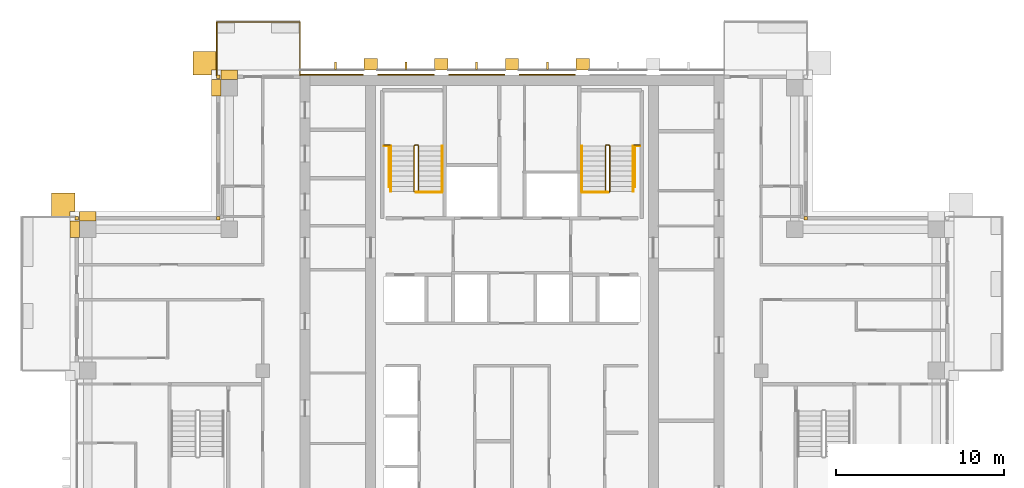
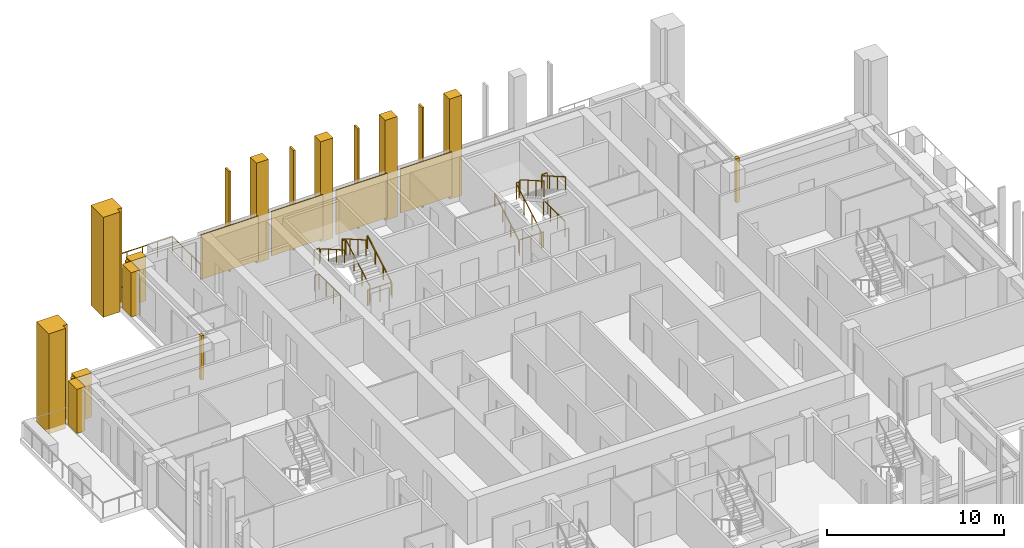
# One storey, part 15 of 16: 22 coverings, 13 railings.
"""IFC4 building model written with IfcOpenShell, lengths in metres."""

from ifc_helpers import new_model, si_unit, direction, frame, origin, origin_2d, place, context, subcontext, project, spatial, polyline, rectangle, outline, extrude, material, layer, layer_set, type_object, element, save


model = new_model("IFC4")

# Units and contexts
model_context = context("Model", 3, precision=1e-05, world=origin(), true_north=direction((0.0, 1.0)))
body_context = subcontext(model_context, "Body", "Model", "MODEL_VIEW")
ifc_project = project(units=[si_unit("LENGTHUNIT", "METRE"), si_unit("AREAUNIT", "SQUARE_METRE"), si_unit("VOLUMEUNIT", "CUBIC_METRE"), si_unit("PLANEANGLEUNIT", "RADIAN"), si_unit("MASSUNIT", "GRAM", prefix="KILO")], contexts=[model_context])

# Site, building, storey
site_placement = place(None, origin())
site = spatial("IfcSite", under=ifc_project, at=site_placement, CompositionType="ELEMENT")
building_placement = place(site_placement, origin())
building = spatial("IfcBuilding", under=site, at=building_placement, Name="Vermilion Ogive Tower", CompositionType="ELEMENT")
storey_placement = place(building_placement, frame((0.0, 0.0, 206.60009765625)))
storey = spatial("IfcBuildingStorey", under=building, at=storey_placement, Name="L54", CompositionType="ELEMENT", Elevation=206.60009765625)

# Railing
ifc_material_1 = material(Name="Stainless steel and glass", Category="steel")
railing_type_1 = type_object("IfcRailingType", Name="Balcony guard", PredefinedType="GUARDRAIL", material=ifc_material_1)
railing_1_placement = place(storey_placement, frame((-12.60009765625, 21.75, -0.0400390625)))
element("IfcRailing", 1, at=railing_1_placement, inside=storey, type_object=railing_type_1, Name="Guard N201", PredefinedType="GUARDRAIL", context=body_context, shape_type="SweptSolid", body=[
    extrude(rectangle(XDim=0.048095703125, YDim=0.048095703125, at=origin_2d()), frame((0.0, 0.0, 1.076171875), z_axis=(0.0, 1.0, 0.0), x_axis=(-1.0, 0.0, 0.0)), (0.0, 0.0, 1.0), 3.159912109375),
    extrude(rectangle(XDim=0.048095703125, YDim=0.048095703125, at=origin_2d()), frame((0.0, 3.159912109375, 1.076171875), z_axis=(-1.0, 0.0, 0.0), x_axis=(0.0, -1.0, 0.0)), (0.0, 0.0, 1.0), 4.949951171875),
    extrude(rectangle(XDim=0.048095703125, YDim=0.048095703125, at=origin_2d()), frame((-4.949951171875, 3.159912109375, 1.076171875), z_axis=(0.0, -1.0, 0.0), x_axis=(1.0, 0.0, 0.0)), (0.0, 0.0, 1.0), 3.159912109375),
    extrude(rectangle(XDim=0.0419921875, YDim=0.0419921875, at=origin_2d()), origin(), (0.0, 0.0, 1.0), 1.052001953125),
    extrude(rectangle(XDim=0.0419921875, YDim=0.0419921875, at=origin_2d()), frame((0.0, 1.05322265625, 0.0)), (0.0, 0.0, 1.0), 1.052001953125),
    extrude(rectangle(XDim=0.0419921875, YDim=0.0419921875, at=origin_2d()), frame((0.0, 2.106689453125, 0.0)), (0.0, 0.0, 1.0), 1.052001953125),
    extrude(rectangle(XDim=0.0419921875, YDim=0.0419921875, at=origin_2d()), frame((0.0, 3.159912109375, 0.0)), (0.0, 0.0, 1.0), 1.052001953125),
    extrude(rectangle(XDim=0.0419921875, YDim=0.0419921875, at=origin_2d()), frame((-0.989990234375, 3.159912109375, 0.0)), (0.0, 0.0, 1.0), 1.052001953125),
    extrude(rectangle(XDim=0.0419921875, YDim=0.0419921875, at=origin_2d()), frame((-1.97998046875, 3.159912109375, 0.0)), (0.0, 0.0, 1.0), 1.052001953125),
    extrude(rectangle(XDim=0.0419921875, YDim=0.0419921875, at=origin_2d()), frame((-2.969970703125, 3.159912109375, 0.0)), (0.0, 0.0, 1.0), 1.052001953125),
    extrude(rectangle(XDim=0.0419921875, YDim=0.0419921875, at=origin_2d()), frame((-3.9599609375, 3.159912109375, 0.0)), (0.0, 0.0, 1.0), 1.052001953125),
    extrude(rectangle(XDim=0.0419921875, YDim=0.0419921875, at=origin_2d()), frame((-4.949951171875, 3.159912109375, 0.0)), (0.0, 0.0, 1.0), 1.052001953125),
    extrude(rectangle(XDim=0.0419921875, YDim=0.0419921875, at=origin_2d()), frame((-4.949951171875, 2.106689453125, 0.0)), (0.0, 0.0, 1.0), 1.052001953125),
    extrude(rectangle(XDim=0.0419921875, YDim=0.0419921875, at=origin_2d()), frame((-4.949951171875, 1.05322265625, 0.0)), (0.0, 0.0, 1.0), 1.052001953125),
    extrude(rectangle(XDim=0.0419921875, YDim=0.0419921875, at=origin_2d()), frame((-4.949951171875, 0.0, 0.0)), (0.0, 0.0, 1.0), 1.052001953125),
])

# Coverings
ifc_material_2 = material(Name="Glazed ceramic screen")
ifc_layer = layer(ifc_material_2, 0.14990234375)
ifc_layer_set = layer_set([ifc_layer], Name="Ceramic solar screen fin")
covering_type_1 = type_object("IfcCoveringType", Name="Ceramic solar screen fin", PredefinedType="CLADDING", material=ifc_layer_set)
covering_1_placement = place(storey_placement, frame((0.0, 0.0, -0.400146484375)))
element("IfcCovering", 2, at=covering_1_placement, inside=storey, type_object=covering_type_1, Name="Solar screen blade N1", PredefinedType="CLADDING", context=body_context, shape_type="SweptSolid", body=[
    extrude(outline(polyline([(-10.56005859375, 22.08203125), (-10.43994140625, 22.08203125), (-10.43994140625, 22.531982421875), (-10.56005859375, 22.531982421875), (-10.56005859375, 22.08203125)])), origin(), (0.0, 0.0, 1.0), 6.900146484375),
])
covering_2_placement = place(storey_placement, frame((0.0, 0.0, -0.400146484375)))
element("IfcCovering", 3, at=covering_2_placement, inside=storey, type_object=covering_type_1, Name="Solar screen blade N2", PredefinedType="CLADDING", context=body_context, shape_type="SweptSolid", body=[
    extrude(outline(polyline([(-6.360107421875, 22.08203125), (-6.239990234375, 22.08203125), (-6.239990234375, 22.531982421875), (-6.360107421875, 22.531982421875), (-6.360107421875, 22.08203125)])), origin(), (0.0, 0.0, 1.0), 6.900146484375),
])
covering_3_placement = place(storey_placement, frame((0.0, 0.0, -0.400146484375)))
element("IfcCovering", 4, at=covering_3_placement, inside=storey, type_object=covering_type_1, Name="Solar screen blade N3", PredefinedType="CLADDING", context=body_context, shape_type="SweptSolid", body=[
    extrude(outline(polyline([(-2.159912109375, 22.08203125), (-2.0400390625, 22.08203125), (-2.0400390625, 22.531982421875), (-2.159912109375, 22.531982421875), (-2.159912109375, 22.08203125)])), origin(), (0.0, 0.0, 1.0), 6.900146484375),
])
covering_4_placement = place(storey_placement, frame((0.0, 0.0, -0.400146484375)))
element("IfcCovering", 5, at=covering_4_placement, inside=storey, type_object=covering_type_1, Name="Solar screen blade N4", PredefinedType="CLADDING", context=body_context, shape_type="SweptSolid", body=[
    extrude(outline(polyline([(2.0400390625, 22.08203125), (2.159912109375, 22.08203125), (2.159912109375, 22.531982421875), (2.0400390625, 22.531982421875), (2.0400390625, 22.08203125)])), origin(), (0.0, 0.0, 1.0), 6.900146484375),
])

# Railings
ifc_material_3 = material(Name="Steel S355 painted", Category="steel")
railing_type_2 = type_object("IfcRailingType", Name="Stair guard 1100", PredefinedType="GUARDRAIL", material=ifc_material_3)
railing_2_placement = place(storey_placement, frame((-5.75, 14.800048828125, 0.0)))
element("IfcRailing", 6, at=railing_2_placement, inside=storey, type_object=railing_type_2, Name="L54 ST1 stair guard 4", PredefinedType="GUARDRAIL", context=body_context, shape_type="SweptSolid", body=[
    extrude(rectangle(XDim=0.048095703125, YDim=0.048095703125, at=origin_2d()), frame((0.0, 0.0, 1.076171875), z_axis=(1.0, 0.0, 0.0), x_axis=(0.0, 1.0, 0.0)), (0.0, 0.0, 1.0), 0.14990234375),
    extrude(rectangle(XDim=0.048095703125, YDim=0.048095703125, at=origin_2d()), frame((0.14990234375, 0.0, 1.076171875), z_axis=(0.268603158521, 0.268603158521, 0.925043072762), x_axis=(-0.707106781187, 0.707106781187, 0.0)), (0.0, 0.0, 1.0), 0.186279296875),
    extrude(rectangle(XDim=0.048095703125, YDim=0.048095703125, at=origin_2d()), frame((0.199951171875, 0.050048828125, 1.24853515625), z_axis=(0.0, 0.866903762492, 0.498475542607), x_axis=(-1.0, 0.0, 0.0)), (0.0, 0.0, 1.0), 3.114501953125),
    extrude(rectangle(XDim=0.048095703125, YDim=0.048095703125, at=origin_2d()), frame((0.199951171875, 2.75, 2.80078125), z_axis=(-0.707106781187, 0.707106781187, 0.0), x_axis=(-0.707106781187, -0.707106781187, 0.0)), (0.0, 0.0, 1.0), 0.07080078125),
    extrude(rectangle(XDim=0.048095703125, YDim=0.048095703125, at=origin_2d()), frame((0.14990234375, 2.800048828125, 2.80078125), z_axis=(-1.0, 0.0, 0.0), x_axis=(0.0, -1.0, 0.0)), (0.0, 0.0, 1.0), 0.14990234375),
    extrude(rectangle(XDim=0.048095703125, YDim=0.048095703125, at=origin_2d()), frame((0.0, 2.800048828125, 2.80078125), z_axis=(-0.268277960024, -0.268277960024, 0.925231793839), x_axis=(0.707106781187, -0.707106781187, 0.0)), (0.0, 0.0, 1.0), 0.1865234375),
    extrude(rectangle(XDim=0.048095703125, YDim=0.048095703125, at=origin_2d()), frame((-0.050048828125, 2.75, 2.9736328125), z_axis=(0.0, -0.866903762492, 0.498475542607), x_axis=(1.0, 0.0, 0.0)), (0.0, 0.0, 1.0), 3.114501953125),
    extrude(rectangle(XDim=0.0419921875, YDim=0.0419921875, at=origin_2d()), origin(), (0.0, 0.0, 1.0), 1.052001953125),
    extrude(rectangle(XDim=0.0419921875, YDim=0.0419921875, at=origin_2d()), frame((0.14990234375, 0.0, 0.0)), (0.0, 0.0, 1.0), 1.052001953125),
    extrude(rectangle(XDim=0.0419921875, YDim=0.0419921875, at=origin_2d()), frame((0.199951171875, 0.050048828125, 0.17236328125)), (0.0, 0.0, 1.0), 1.052001953125),
    extrude(rectangle(XDim=0.0419921875, YDim=0.0419921875, at=origin_2d()), frame((0.199951171875, 0.949951171875, 0.68994140625)), (0.0, 0.0, 1.0), 1.052001953125),
    extrude(rectangle(XDim=0.0419921875, YDim=0.0419921875, at=origin_2d()), frame((0.199951171875, 1.85009765625, 1.207275390625)), (0.0, 0.0, 1.0), 1.052001953125),
    extrude(rectangle(XDim=0.0419921875, YDim=0.0419921875, at=origin_2d()), frame((0.199951171875, 2.75, 1.724853515625)), (0.0, 0.0, 1.0), 1.052001953125),
    extrude(rectangle(XDim=0.0419921875, YDim=0.0419921875, at=origin_2d()), frame((0.14990234375, 2.800048828125, 1.724853515625)), (0.0, 0.0, 1.0), 1.052001953125),
    extrude(rectangle(XDim=0.0419921875, YDim=0.0419921875, at=origin_2d()), frame((0.0, 2.800048828125, 1.724853515625)), (0.0, 0.0, 1.0), 1.052001953125),
    extrude(rectangle(XDim=0.0419921875, YDim=0.0419921875, at=origin_2d()), frame((-0.050048828125, 2.75, 1.8974609375)), (0.0, 0.0, 1.0), 1.052001953125),
    extrude(rectangle(XDim=0.0419921875, YDim=0.0419921875, at=origin_2d()), frame((-0.050048828125, 1.85009765625, 2.4150390625)), (0.0, 0.0, 1.0), 1.052001953125),
    extrude(rectangle(XDim=0.0419921875, YDim=0.0419921875, at=origin_2d()), frame((-0.050048828125, 0.949951171875, 2.932373046875)), (0.0, 0.0, 1.0), 1.052001953125),
    extrude(rectangle(XDim=0.0419921875, YDim=0.0419921875, at=origin_2d()), frame((-0.050048828125, 0.050048828125, 3.449951171875)), (0.0, 0.0, 1.0), 1.052001953125),
])
railing_3_placement = place(storey_placement, frame((5.75, 14.800048828125, 0.0)))
element("IfcRailing", 7, at=railing_3_placement, inside=storey, type_object=railing_type_2, Name="L54 ST2 stair guard 4", PredefinedType="GUARDRAIL", context=body_context, shape_type="SweptSolid", body=[
    extrude(rectangle(XDim=0.048095703125, YDim=0.048095703125, at=origin_2d()), frame((0.0, 0.0, 1.076171875), z_axis=(-1.0, 0.0, 0.0), x_axis=(0.0, -1.0, 0.0)), (0.0, 0.0, 1.0), 0.14990234375),
    extrude(rectangle(XDim=0.048095703125, YDim=0.048095703125, at=origin_2d()), frame((-0.14990234375, 0.0, 1.076171875), z_axis=(-0.268603158521, 0.268603158521, 0.925043072762), x_axis=(-0.707106781187, -0.707106781187, 0.0)), (0.0, 0.0, 1.0), 0.186279296875),
    extrude(rectangle(XDim=0.048095703125, YDim=0.048095703125, at=origin_2d()), frame((-0.199951171875, 0.050048828125, 1.24853515625), z_axis=(0.0, 0.866903762492, 0.498475542607), x_axis=(-1.0, 0.0, 0.0)), (0.0, 0.0, 1.0), 3.114501953125),
    extrude(rectangle(XDim=0.048095703125, YDim=0.048095703125, at=origin_2d()), frame((-0.199951171875, 2.75, 2.80078125), z_axis=(0.707106781187, 0.707106781187, 0.0), x_axis=(-0.707106781187, 0.707106781187, 0.0)), (0.0, 0.0, 1.0), 0.07080078125),
    extrude(rectangle(XDim=0.048095703125, YDim=0.048095703125, at=origin_2d()), frame((-0.14990234375, 2.800048828125, 2.80078125), z_axis=(1.0, 0.0, 0.0), x_axis=(0.0, 1.0, 0.0)), (0.0, 0.0, 1.0), 0.14990234375),
    extrude(rectangle(XDim=0.048095703125, YDim=0.048095703125, at=origin_2d()), frame((0.0, 2.800048828125, 2.80078125), z_axis=(0.268277960024, -0.268277960024, 0.925231793839), x_axis=(0.707106781187, 0.707106781187, 0.0)), (0.0, 0.0, 1.0), 0.1865234375),
    extrude(rectangle(XDim=0.048095703125, YDim=0.048095703125, at=origin_2d()), frame((0.050048828125, 2.75, 2.9736328125), z_axis=(0.0, -0.866903762492, 0.498475542607), x_axis=(1.0, 0.0, 0.0)), (0.0, 0.0, 1.0), 3.114501953125),
    extrude(rectangle(XDim=0.0419921875, YDim=0.0419921875, at=origin_2d()), origin(), (0.0, 0.0, 1.0), 1.052001953125),
    extrude(rectangle(XDim=0.0419921875, YDim=0.0419921875, at=origin_2d()), frame((-0.14990234375, 0.0, 0.0)), (0.0, 0.0, 1.0), 1.052001953125),
    extrude(rectangle(XDim=0.0419921875, YDim=0.0419921875, at=origin_2d()), frame((-0.199951171875, 0.050048828125, 0.17236328125)), (0.0, 0.0, 1.0), 1.052001953125),
    extrude(rectangle(XDim=0.0419921875, YDim=0.0419921875, at=origin_2d()), frame((-0.199951171875, 0.949951171875, 0.68994140625)), (0.0, 0.0, 1.0), 1.052001953125),
    extrude(rectangle(XDim=0.0419921875, YDim=0.0419921875, at=origin_2d()), frame((-0.199951171875, 1.85009765625, 1.207275390625)), (0.0, 0.0, 1.0), 1.052001953125),
    extrude(rectangle(XDim=0.0419921875, YDim=0.0419921875, at=origin_2d()), frame((-0.199951171875, 2.75, 1.724853515625)), (0.0, 0.0, 1.0), 1.052001953125),
    extrude(rectangle(XDim=0.0419921875, YDim=0.0419921875, at=origin_2d()), frame((-0.14990234375, 2.800048828125, 1.724853515625)), (0.0, 0.0, 1.0), 1.052001953125),
    extrude(rectangle(XDim=0.0419921875, YDim=0.0419921875, at=origin_2d()), frame((0.0, 2.800048828125, 1.724853515625)), (0.0, 0.0, 1.0), 1.052001953125),
    extrude(rectangle(XDim=0.0419921875, YDim=0.0419921875, at=origin_2d()), frame((0.050048828125, 2.75, 1.8974609375)), (0.0, 0.0, 1.0), 1.052001953125),
    extrude(rectangle(XDim=0.0419921875, YDim=0.0419921875, at=origin_2d()), frame((0.050048828125, 1.85009765625, 2.4150390625)), (0.0, 0.0, 1.0), 1.052001953125),
    extrude(rectangle(XDim=0.0419921875, YDim=0.0419921875, at=origin_2d()), frame((0.050048828125, 0.949951171875, 2.932373046875)), (0.0, 0.0, 1.0), 1.052001953125),
    extrude(rectangle(XDim=0.0419921875, YDim=0.0419921875, at=origin_2d()), frame((0.050048828125, 0.050048828125, 3.449951171875)), (0.0, 0.0, 1.0), 1.052001953125),
])
for number, where, name in (
    (8, (-7.60009765625, 17.60009765625, 1.724853515625), "L54 landing guard"),
    (9, (7.25, 17.60009765625, 1.724853515625), "L54 landing guard"),
):
    element("IfcRailing", number, at=place(storey_placement, frame(where)), inside=storey, type_object=railing_type_2, Name=name, PredefinedType="GUARDRAIL", context=body_context, shape_type="SweptSolid", body=[
        extrude(rectangle(XDim=0.048095703125, YDim=0.048095703125, at=origin_2d()), frame((0.0, 0.0, 1.076171875), z_axis=(1.0, 0.0, 0.0), x_axis=(0.0, 1.0, 0.0)), (0.0, 0.0, 1.0), 0.35009765625),
        extrude(rectangle(XDim=0.0419921875, YDim=0.0419921875, at=origin_2d()), origin(), (0.0, 0.0, 1.0), 1.052001953125),
        extrude(rectangle(XDim=0.0419921875, YDim=0.0419921875, at=origin_2d()), frame((0.35009765625, 0.0, 0.0)), (0.0, 0.0, 1.0), 1.052001953125),
    ])
railing_4_placement = place(storey_placement, frame((-4.159912109375, 14.7900390625, 0.0)))
element("IfcRailing", 10, at=railing_4_placement, inside=storey, type_object=railing_type_2, Name="L54 stair opening guard", PredefinedType="GUARDRAIL", context=body_context, shape_type="SweptSolid", body=[
    extrude(rectangle(XDim=0.048095703125, YDim=0.048095703125, at=origin_2d()), frame((0.0, 0.0, 1.076171875), z_axis=(-1.0, 0.0, 0.0), x_axis=(0.0, -1.0, 0.0)), (0.0, 0.0, 1.0), 1.5400390625),
    extrude(rectangle(XDim=0.0419921875, YDim=0.0419921875, at=origin_2d()), origin(), (0.0, 0.0, 1.0), 1.052001953125),
    extrude(rectangle(XDim=0.0419921875, YDim=0.0419921875, at=origin_2d()), frame((-0.77001953125, 0.0, 0.0)), (0.0, 0.0, 1.0), 1.052001953125),
    extrude(rectangle(XDim=0.0419921875, YDim=0.0419921875, at=origin_2d()), frame((-1.5400390625, 0.0, 0.0)), (0.0, 0.0, 1.0), 1.052001953125),
])
railing_5_placement = place(storey_placement, frame((-7.3095703125, 15.11865234375, 0.0)))
element("IfcRailing", 11, at=railing_5_placement, inside=storey, type_object=railing_type_2, Name="L54 stair opening guard", PredefinedType="GUARDRAIL", context=body_context, shape_type="SweptSolid", body=[
    extrude(rectangle(XDim=0.048095703125, YDim=0.048095703125, at=origin_2d()), frame((0.0, 0.0, 1.076171875), z_axis=(0.0, 1.0, 0.0), x_axis=(-1.0, 0.0, 0.0)), (0.0, 0.0, 1.0), 2.42431640625),
    extrude(rectangle(XDim=0.048095703125, YDim=0.048095703125, at=origin_2d()), frame((0.0, 2.42431640625, 1.076171875), z_axis=(-1.0, 0.0, 0.0), x_axis=(0.0, -1.0, 0.0)), (0.0, 0.0, 1.0), 0.2900390625),
    extrude(rectangle(XDim=0.0419921875, YDim=0.0419921875, at=origin_2d()), origin(), (0.0, 0.0, 1.0), 1.052001953125),
    extrude(rectangle(XDim=0.0419921875, YDim=0.0419921875, at=origin_2d()), frame((0.0, 0.80810546875, 0.0)), (0.0, 0.0, 1.0), 1.052001953125),
    extrude(rectangle(XDim=0.0419921875, YDim=0.0419921875, at=origin_2d()), frame((0.0, 1.6162109375, 0.0)), (0.0, 0.0, 1.0), 1.052001953125),
    extrude(rectangle(XDim=0.0419921875, YDim=0.0419921875, at=origin_2d()), frame((0.0, 2.42431640625, 0.0)), (0.0, 0.0, 1.0), 1.052001953125),
    extrude(rectangle(XDim=0.0419921875, YDim=0.0419921875, at=origin_2d()), frame((-0.2900390625, 2.42431640625, 0.0)), (0.0, 0.0, 1.0), 1.052001953125),
])
railing_6_placement = place(storey_placement, frame((7.599609375, 17.54296875, 0.0)))
element("IfcRailing", 12, at=railing_6_placement, inside=storey, type_object=railing_type_2, Name="L54 stair opening guard", PredefinedType="GUARDRAIL", context=body_context, shape_type="SweptSolid", body=[
    extrude(rectangle(XDim=0.048095703125, YDim=0.048095703125, at=origin_2d()), frame((0.0, 0.0, 1.076171875), z_axis=(-1.0, 0.0, 0.0), x_axis=(0.0, -1.0, 0.0)), (0.0, 0.0, 1.0), 0.2900390625),
    extrude(rectangle(XDim=0.048095703125, YDim=0.048095703125, at=origin_2d()), frame((-0.2900390625, 0.0, 1.076171875), z_axis=(0.0, -1.0, 0.0), x_axis=(1.0, 0.0, 0.0)), (0.0, 0.0, 1.0), 2.42431640625),
    extrude(rectangle(XDim=0.0419921875, YDim=0.0419921875, at=origin_2d()), origin(), (0.0, 0.0, 1.0), 1.052001953125),
    extrude(rectangle(XDim=0.0419921875, YDim=0.0419921875, at=origin_2d()), frame((-0.2900390625, 0.0, 0.0)), (0.0, 0.0, 1.0), 1.052001953125),
    extrude(rectangle(XDim=0.0419921875, YDim=0.0419921875, at=origin_2d()), frame((-0.2900390625, -0.80810546875, 0.0)), (0.0, 0.0, 1.0), 1.052001953125),
    extrude(rectangle(XDim=0.0419921875, YDim=0.0419921875, at=origin_2d()), frame((-0.2900390625, -1.6162109375, 0.0)), (0.0, 0.0, 1.0), 1.052001953125),
    extrude(rectangle(XDim=0.0419921875, YDim=0.0419921875, at=origin_2d()), frame((-0.2900390625, -2.42431640625, 0.0)), (0.0, 0.0, 1.0), 1.052001953125),
])
railing_7_placement = place(storey_placement, frame((5.699951171875, 14.7900390625, 0.0)))
element("IfcRailing", 13, at=railing_7_placement, inside=storey, type_object=railing_type_2, Name="L54 stair opening guard", PredefinedType="GUARDRAIL", context=body_context, shape_type="SweptSolid", body=[
    extrude(rectangle(XDim=0.048095703125, YDim=0.048095703125, at=origin_2d()), frame((0.0, 0.0, 1.076171875), z_axis=(-1.0, 0.0, 0.0), x_axis=(0.0, -1.0, 0.0)), (0.0, 0.0, 1.0), 1.5400390625),
    extrude(rectangle(XDim=0.0419921875, YDim=0.0419921875, at=origin_2d()), origin(), (0.0, 0.0, 1.0), 1.052001953125),
    extrude(rectangle(XDim=0.0419921875, YDim=0.0419921875, at=origin_2d()), frame((-0.77001953125, 0.0, 0.0)), (0.0, 0.0, 1.0), 1.052001953125),
    extrude(rectangle(XDim=0.0419921875, YDim=0.0419921875, at=origin_2d()), frame((-1.5400390625, 0.0, 0.0)), (0.0, 0.0, 1.0), 1.052001953125),
])
ifc_material_4 = material(Name="Stainless steel", Category="steel")
railing_type_3 = type_object("IfcRailingType", Name="Stair handrail 900", PredefinedType="HANDRAIL", material=ifc_material_4)
railing_8_placement = place(storey_placement, frame((-4.14990234375, 14.85009765625, 0.17236328125)))
element("IfcRailing", 14, at=railing_8_placement, inside=storey, type_object=railing_type_3, Name="L54 ST1 stair handrail 1", PredefinedType="HANDRAIL", context=body_context, shape_type="SweptSolid", body=[
    extrude(rectangle(XDim=0.048095703125, YDim=0.048095703125, at=origin_2d()), frame((0.0, 0.0, 0.8759765625), z_axis=(0.0, 0.866903762492, 0.498475542607), x_axis=(-1.0, 0.0, 0.0)), (0.0, 0.0, 1.0), 3.114501953125),
    extrude(rectangle(XDim=0.0419921875, YDim=0.0419921875, at=origin_2d()), origin(), (0.0, 0.0, 1.0), 0.851806640625),
    extrude(rectangle(XDim=0.0419921875, YDim=0.0419921875, at=origin_2d()), frame((0.0, 0.89990234375, 0.517578125)), (0.0, 0.0, 1.0), 0.851806640625),
    extrude(rectangle(XDim=0.0419921875, YDim=0.0419921875, at=origin_2d()), frame((0.0, 1.800048828125, 1.034912109375)), (0.0, 0.0, 1.0), 0.851806640625),
    extrude(rectangle(XDim=0.0419921875, YDim=0.0419921875, at=origin_2d()), frame((0.0, 2.699951171875, 1.552490234375)), (0.0, 0.0, 1.0), 0.851806640625),
])
railing_9_placement = place(storey_placement, frame((-7.199951171875, 17.550048828125, 1.8974609375)))
element("IfcRailing", 15, at=railing_9_placement, inside=storey, type_object=railing_type_3, Name="L54 ST1 stair handrail 2", PredefinedType="HANDRAIL", context=body_context, shape_type="SweptSolid", body=[
    extrude(rectangle(XDim=0.048095703125, YDim=0.048095703125, at=origin_2d()), frame((0.0, 0.0, 0.8759765625), z_axis=(0.0, -0.866903762492, 0.498475542607), x_axis=(1.0, 0.0, 0.0)), (0.0, 0.0, 1.0), 3.114501953125),
    extrude(rectangle(XDim=0.0419921875, YDim=0.0419921875, at=origin_2d()), origin(), (0.0, 0.0, 1.0), 0.851806640625),
    extrude(rectangle(XDim=0.0419921875, YDim=0.0419921875, at=origin_2d()), frame((0.0, -0.89990234375, 0.517578125)), (0.0, 0.0, 1.0), 0.851806640625),
    extrude(rectangle(XDim=0.0419921875, YDim=0.0419921875, at=origin_2d()), frame((0.0, -1.800048828125, 1.034912109375)), (0.0, 0.0, 1.0), 0.851806640625),
    extrude(rectangle(XDim=0.0419921875, YDim=0.0419921875, at=origin_2d()), frame((0.0, -2.699951171875, 1.552490234375)), (0.0, 0.0, 1.0), 0.851806640625),
])
railing_10_placement = place(storey_placement, frame((4.14990234375, 14.85009765625, 0.17236328125)))
element("IfcRailing", 16, at=railing_10_placement, inside=storey, type_object=railing_type_3, Name="L54 ST2 stair handrail 1", PredefinedType="HANDRAIL", context=body_context, shape_type="SweptSolid", body=[
    extrude(rectangle(XDim=0.048095703125, YDim=0.048095703125, at=origin_2d()), frame((0.0, 0.0, 0.8759765625), z_axis=(0.0, 0.866903762492, 0.498475542607), x_axis=(-1.0, 0.0, 0.0)), (0.0, 0.0, 1.0), 3.114501953125),
    extrude(rectangle(XDim=0.0419921875, YDim=0.0419921875, at=origin_2d()), origin(), (0.0, 0.0, 1.0), 0.851806640625),
    extrude(rectangle(XDim=0.0419921875, YDim=0.0419921875, at=origin_2d()), frame((0.0, 0.89990234375, 0.517578125)), (0.0, 0.0, 1.0), 0.851806640625),
    extrude(rectangle(XDim=0.0419921875, YDim=0.0419921875, at=origin_2d()), frame((0.0, 1.800048828125, 1.034912109375)), (0.0, 0.0, 1.0), 0.851806640625),
    extrude(rectangle(XDim=0.0419921875, YDim=0.0419921875, at=origin_2d()), frame((0.0, 2.699951171875, 1.552490234375)), (0.0, 0.0, 1.0), 0.851806640625),
])
railing_11_placement = place(storey_placement, frame((7.199951171875, 17.550048828125, 1.8974609375)))
element("IfcRailing", 17, at=railing_11_placement, inside=storey, type_object=railing_type_3, Name="L54 ST2 stair handrail 2", PredefinedType="HANDRAIL", context=body_context, shape_type="SweptSolid", body=[
    extrude(rectangle(XDim=0.048095703125, YDim=0.048095703125, at=origin_2d()), frame((0.0, 0.0, 0.8759765625), z_axis=(0.0, -0.866903762492, 0.498475542607), x_axis=(1.0, 0.0, 0.0)), (0.0, 0.0, 1.0), 3.114501953125),
    extrude(rectangle(XDim=0.0419921875, YDim=0.0419921875, at=origin_2d()), origin(), (0.0, 0.0, 1.0), 0.851806640625),
    extrude(rectangle(XDim=0.0419921875, YDim=0.0419921875, at=origin_2d()), frame((0.0, -0.89990234375, 0.517578125)), (0.0, 0.0, 1.0), 0.851806640625),
    extrude(rectangle(XDim=0.0419921875, YDim=0.0419921875, at=origin_2d()), frame((0.0, -1.800048828125, 1.034912109375)), (0.0, 0.0, 1.0), 0.851806640625),
    extrude(rectangle(XDim=0.0419921875, YDim=0.0419921875, at=origin_2d()), frame((0.0, -2.699951171875, 1.552490234375)), (0.0, 0.0, 1.0), 0.851806640625),
])

# Coverings
ifc_material_5 = material(Name="Stone cladding", Category="masonry")
covering_type_2 = type_object("IfcCoveringType", Name="Stone buttress pier", PredefinedType="CLADDING", material=ifc_material_5)
covering_5_placement = place(storey_placement, frame((0.0, 0.0, -0.400146484375)))
element("IfcCovering", 18, at=covering_5_placement, inside=storey, type_object=covering_type_2, Name="Stone buttress pier N1", PredefinedType="CLADDING", context=body_context, shape_type="SweptSolid", body=[
    extrude(outline(polyline([(-8.0, 22.75), (-8.0, 22.050048828125), (-8.800048828125, 22.050048828125), (-8.800048828125, 22.75), (-8.0, 22.75)])), origin(), (0.0, 0.0, 1.0), 6.900146484375),
])
covering_6_placement = place(storey_placement, frame((0.0, 0.0, -0.400146484375)))
element("IfcCovering", 19, at=covering_6_placement, inside=storey, type_object=covering_type_2, Name="Stone buttress pier N2", PredefinedType="CLADDING", context=body_context, shape_type="SweptSolid", body=[
    extrude(outline(polyline([(-3.800048828125, 22.75), (-3.800048828125, 22.050048828125), (-4.60009765625, 22.050048828125), (-4.60009765625, 22.75), (-3.800048828125, 22.75)])), origin(), (0.0, 0.0, 1.0), 6.900146484375),
])
covering_7_placement = place(storey_placement, frame((0.0, 0.0, -0.400146484375)))
element("IfcCovering", 20, at=covering_7_placement, inside=storey, type_object=covering_type_2, Name="Stone buttress pier N3", PredefinedType="CLADDING", context=body_context, shape_type="SweptSolid", body=[
    extrude(outline(polyline([(0.39990234375, 22.75), (0.39990234375, 22.050048828125), (-0.39990234375, 22.050048828125), (-0.39990234375, 22.75), (0.39990234375, 22.75)])), origin(), (0.0, 0.0, 1.0), 6.900146484375),
])
covering_8_placement = place(storey_placement, frame((0.0, 0.0, -0.400146484375)))
element("IfcCovering", 21, at=covering_8_placement, inside=storey, type_object=covering_type_2, Name="Stone buttress pier N4", PredefinedType="CLADDING", context=body_context, shape_type="SweptSolid", body=[
    extrude(outline(polyline([(4.60009765625, 22.75), (4.60009765625, 22.050048828125), (3.800048828125, 22.050048828125), (3.800048828125, 22.75), (4.60009765625, 22.75)])), origin(), (0.0, 0.0, 1.0), 6.900146484375),
])
ifc_material_6 = material(Name="Stone cladding", Category="masonry")
covering_type_3 = type_object("IfcCoveringType", Name="Stone cladding panel", PredefinedType="CLADDING", material=ifc_material_6)
covering_9_placement = place(storey_placement, origin())
element("IfcCovering", 22, at=covering_9_placement, inside=storey, type_object=covering_type_3, Name="Stone cladding panel N1", PredefinedType="CLADDING", context=body_context, shape_type="SweptSolid", body=[
    extrude(outline(polyline([(-12.590087890625, 21.75), (-8.830078125, 21.75), (-8.830078125, 21.81005859375), (-12.590087890625, 21.81005859375), (-12.590087890625, 21.75)])), origin(), (0.0, 0.0, 1.0), 3.0498046875),
])
covering_10_placement = place(storey_placement, origin())
element("IfcCovering", 23, at=covering_10_placement, inside=storey, type_object=covering_type_3, Name="Stone cladding panel N2", PredefinedType="CLADDING", context=body_context, shape_type="SweptSolid", body=[
    extrude(outline(polyline([(-7.969970703125, 21.75), (-4.6298828125, 21.75), (-4.6298828125, 21.81005859375), (-7.969970703125, 21.81005859375), (-7.969970703125, 21.75)])), origin(), (0.0, 0.0, 1.0), 3.0498046875),
])
covering_11_placement = place(storey_placement, origin())
element("IfcCovering", 24, at=covering_11_placement, inside=storey, type_object=covering_type_3, Name="Stone cladding panel N3", PredefinedType="CLADDING", context=body_context, shape_type="SweptSolid", body=[
    extrude(outline(polyline([(-3.77001953125, 21.75), (-0.429931640625, 21.75), (-0.429931640625, 21.81005859375), (-3.77001953125, 21.81005859375), (-3.77001953125, 21.75)])), origin(), (0.0, 0.0, 1.0), 3.0498046875),
])
covering_12_placement = place(storey_placement, origin())
element("IfcCovering", 25, at=covering_12_placement, inside=storey, type_object=covering_type_3, Name="Stone cladding panel N4", PredefinedType="CLADDING", context=body_context, shape_type="SweptSolid", body=[
    extrude(outline(polyline([(0.429931640625, 21.75), (3.77001953125, 21.75), (3.77001953125, 21.81005859375), (0.429931640625, 21.81005859375), (0.429931640625, 21.75)])), origin(), (0.0, 0.0, 1.0), 3.0498046875),
])
ifc_material_7 = material(Name="Stone cladding", Category="masonry")
covering_type_4 = type_object("IfcCoveringType", Name="Stone corner buttress", PredefinedType="CLADDING", material=ifc_material_7)
covering_13_placement = place(storey_placement, frame((0.0, 0.0, -0.400146484375)))
element("IfcCovering", 26, at=covering_13_placement, inside=storey, type_object=covering_type_4, Name="Stone corner buttress X51", PredefinedType="CLADDING", context=body_context, shape_type="SweptSolid", body=[
    extrude(outline(polyline([(-17.550048828125, 23.14990234375), (-17.550048828125, 22.050048828125), (-17.85009765625, 22.050048828125), (-17.85009765625, 21.75), (-18.949951171875, 21.75), (-18.949951171875, 23.14990234375), (-17.550048828125, 23.14990234375)])), origin(), (0.0, 0.0, 1.0), 6.900146484375),
])
covering_14_placement = place(storey_placement, frame((0.0, 0.0, -0.400146484375)))
element("IfcCovering", 27, at=covering_14_placement, inside=storey, type_object=covering_type_4, Name="Stone corner buttress W1", PredefinedType="CLADDING", context=body_context, shape_type="SweptSolid", body=[
    extrude(outline(polyline([(-26.25, 13.64990234375), (-26.25, 13.35009765625), (-27.35009765625, 13.35009765625), (-27.35009765625, 14.75), (-25.949951171875, 14.75), (-25.949951171875, 13.64990234375), (-26.25, 13.64990234375)])), origin(), (0.0, 0.0, 1.0), 6.900146484375),
])
ifc_material_8 = material(Name="Stone cladding", Category="masonry")
covering_type_5 = type_object("IfcCoveringType", Name="Stone pier", PredefinedType="CLADDING", material=ifc_material_8)
covering_15_placement = place(storey_placement, origin())
element("IfcCovering", 28, at=covering_15_placement, inside=storey, type_object=covering_type_5, Name="Stone corner pier X3E1", PredefinedType="CLADDING", context=body_context, shape_type="SweptSolid", body=[
    extrude(outline(polyline([(17.35009765625, 13.14990234375), (17.35009765625, 13.35009765625), (17.550048828125, 13.35009765625), (17.550048828125, 13.14990234375), (17.35009765625, 13.14990234375)])), origin(), (0.0, 0.0, 1.0), 3.0498046875),
])
covering_16_placement = place(storey_placement, origin())
element("IfcCovering", 29, at=covering_16_placement, inside=storey, type_object=covering_type_5, Name="Stone corner pier N2E1", PredefinedType="CLADDING", context=body_context, shape_type="SweptSolid", body=[
    extrude(outline(polyline([(-17.35009765625, 21.550048828125), (-17.550048828125, 21.550048828125), (-17.550048828125, 21.75), (-17.35009765625, 21.75), (-17.35009765625, 21.550048828125)])), origin(), (0.0, 0.0, 1.0), 3.0498046875),
])
covering_17_placement = place(storey_placement, origin())
element("IfcCovering", 30, at=covering_17_placement, inside=storey, type_object=covering_type_5, Name="Stone corner pier X5E1", PredefinedType="CLADDING", context=body_context, shape_type="SweptSolid", body=[
    extrude(outline(polyline([(-17.35009765625, 13.14990234375), (-17.550048828125, 13.14990234375), (-17.550048828125, 13.35009765625), (-17.35009765625, 13.35009765625), (-17.35009765625, 13.14990234375)])), origin(), (0.0, 0.0, 1.0), 3.0498046875),
])
covering_18_placement = place(storey_placement, origin())
element("IfcCovering", 31, at=covering_18_placement, inside=storey, type_object=covering_type_5, Name="Stone corner pier X6E1", PredefinedType="CLADDING", context=body_context, shape_type="SweptSolid", body=[
    extrude(outline(polyline([(-25.75, 13.14990234375), (-25.949951171875, 13.14990234375), (-25.949951171875, 13.35009765625), (-25.75, 13.35009765625), (-25.75, 13.14990234375)])), origin(), (0.0, 0.0, 1.0), 3.0498046875),
])
covering_19_placement = place(storey_placement, origin())
element("IfcCovering", 32, at=covering_19_placement, inside=storey, type_object=covering_type_5, Name="Stone pier P-0168+210N2", PredefinedType="CLADDING", context=body_context, shape_type="SweptSolid", body=[
    extrude(outline(polyline([(-17.300048828125, 21.5), (-17.300048828125, 22.050048828125), (-16.300048828125, 22.050048828125), (-16.300048828125, 21.5), (-17.300048828125, 21.5), (-17.300048828125, 21.5)])), origin(), (0.0, 0.0, 1.0), 3.0498046875),
])
covering_20_placement = place(storey_placement, origin())
element("IfcCovering", 33, at=covering_20_placement, inside=storey, type_object=covering_type_5, Name="Stone pier P-0168+210X5", PredefinedType="CLADDING", context=body_context, shape_type="SweptSolid", body=[
    extrude(outline(polyline([(-17.85009765625, 21.5), (-17.300048828125, 21.5), (-17.300048828125, 21.5), (-17.300048828125, 20.5), (-17.85009765625, 20.5), (-17.85009765625, 21.5)])), origin(), (0.0, 0.0, 1.0), 3.0498046875),
])
covering_21_placement = place(storey_placement, origin())
element("IfcCovering", 34, at=covering_21_placement, inside=storey, type_object=covering_type_5, Name="Stone pier P-0252+126X6", PredefinedType="CLADDING", context=body_context, shape_type="SweptSolid", body=[
    extrude(outline(polyline([(-25.699951171875, 13.10009765625), (-25.699951171875, 13.64990234375), (-24.699951171875, 13.64990234375), (-24.699951171875, 13.10009765625), (-24.699951171875, 13.10009765625), (-25.699951171875, 13.10009765625)])), origin(), (0.0, 0.0, 1.0), 3.0498046875),
])
covering_22_placement = place(storey_placement, origin())
element("IfcCovering", 35, at=covering_22_placement, inside=storey, type_object=covering_type_5, Name="Stone pier P-0252+126W", PredefinedType="CLADDING", context=body_context, shape_type="SweptSolid", body=[
    extrude(outline(polyline([(-26.25, 13.10009765625), (-25.699951171875, 13.10009765625), (-25.699951171875, 12.10009765625), (-26.25, 12.10009765625), (-26.25, 13.10009765625)])), origin(), (0.0, 0.0, 1.0), 3.0498046875),
])

save(model, "model.ifc")
